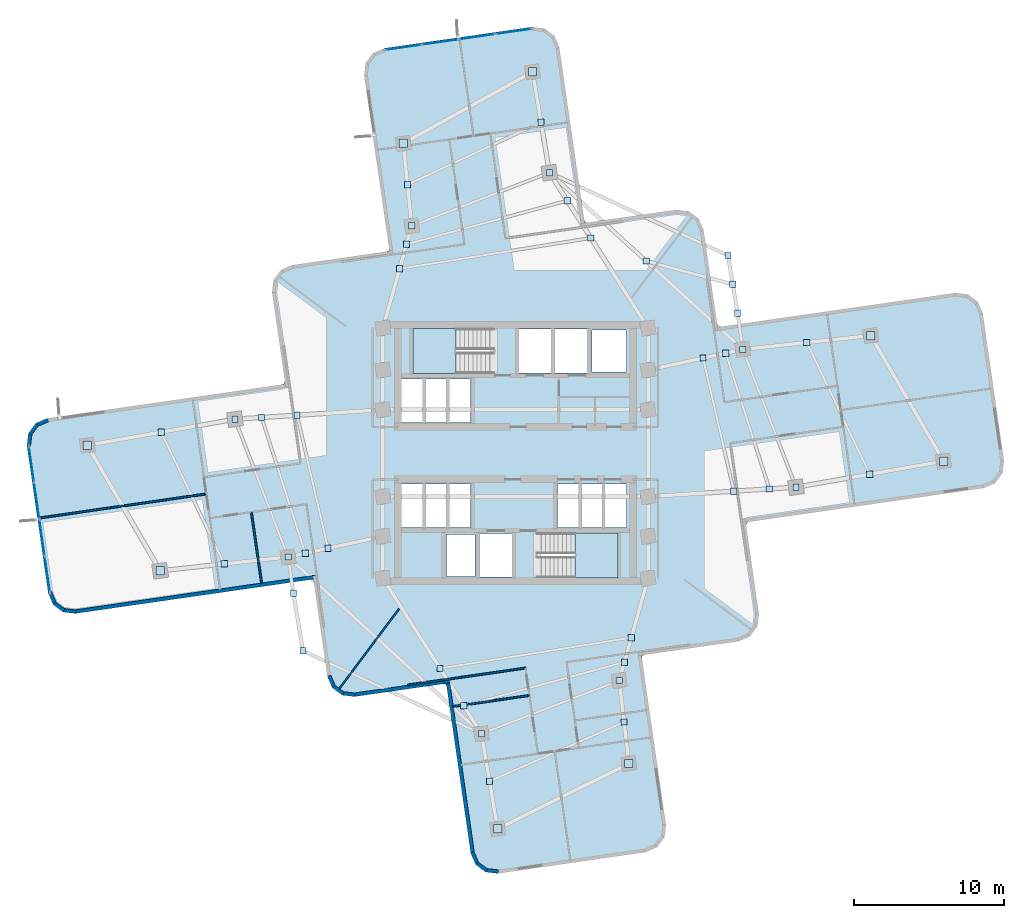
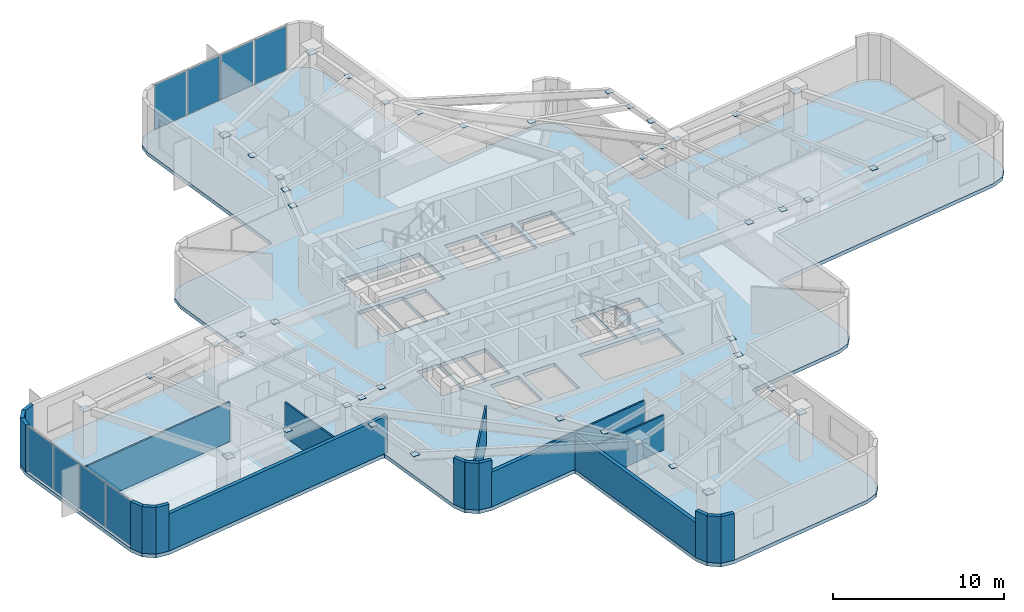
# One storey, part 5 of 13: 54 plates, 20 walls, 3 slabs, 4 elements without a shape of their own.
"""IFC4 building model written with IfcOpenShell, lengths in metres."""

from ifc_helpers import new_model, si_unit, direction, frame, frame_2d, origin, origin_2d, place, context, subcontext, project, spatial, polyline, rectangle, outline, extrude, material, layer, layer_set, type_object, element, aggregate, save


model = new_model("IFC4")

# Units and contexts
model_context = context("Model", 3, precision=1e-05, world=origin(), true_north=direction((0.0, 1.0)))
body_context = subcontext(model_context, "Body", "Model", "MODEL_VIEW")
ifc_project = project(units=[si_unit("LENGTHUNIT", "METRE"), si_unit("AREAUNIT", "SQUARE_METRE"), si_unit("VOLUMEUNIT", "CUBIC_METRE"), si_unit("PLANEANGLEUNIT", "RADIAN"), si_unit("MASSUNIT", "GRAM", prefix="KILO")], contexts=[model_context])

# Site, building, storey
site_placement = place(None, origin())
site = spatial("IfcSite", under=ifc_project, at=site_placement, CompositionType="ELEMENT")
building_placement = place(site_placement, origin())
building = spatial("IfcBuilding", under=site, at=building_placement, Name="Solmarez Civic Tower", CompositionType="ELEMENT")
storey_placement = place(building_placement, frame((0.0, 0.0, 89.280029296875)))
storey = spatial("IfcBuildingStorey", under=building, at=storey_placement, Name="L23", CompositionType="ELEMENT", Elevation=89.280029296875)

# Curtain wall, plates
ifc_material_1 = material(Name="Bronze Anodised Aluminium EN AW-6063 T6", Category="aluminium")
ifc_layer_1 = layer(ifc_material_1, 0.199951171875)
ifc_layer_set_1 = layer_set([ifc_layer_1], Name="Bronze Anodised Aluminium EN AW-6063 T6")
curtain_wall_type = type_object("IfcCurtainWallType", Name="CW-SYS-1", PredefinedType="NOTDEFINED", material=ifc_layer_set_1)
curtain_wall_1_placement = place(storey_placement, origin())
curtain_wall_1 = element("IfcCurtainWall", 1, at=curtain_wall_1_placement, inside=storey, type_object=curtain_wall_type, Name="L23 Stick-Built Curtain Wall 1", PredefinedType="NOTDEFINED")
ifc_material_2 = material(Name="Solar Control Low-E Laminated Vision Glass", Category="glass")
ifc_layer_2 = layer(ifc_material_2, 0.028076171875)
ifc_layer_set_2 = layer_set([ifc_layer_2], Name="Solar Control Low-E Laminated Vision Glass")
plate_type_1 = type_object("IfcPlateType", Name="CWP-GLAZ-28", PredefinedType="CURTAIN_PANEL", material=ifc_layer_set_2)
plate_1_placement = place(storey_placement, frame((-31.24658203125, -8.082763671875, 0.06982421875), z_axis=(0.0, 0.0, 1.0), x_axis=(-0.142697903871, 0.989766289702, 0.0)))
plate_1 = element("IfcPlate", 2, at=plate_1_placement, type_object=plate_type_1, Name="CWS1 panel 1.1", PredefinedType="CURTAIN_PANEL", context=body_context, shape_type="SweptSolid", body=[
    extrude(rectangle(XDim=2.38232421875, YDim=0.028076171875, at=origin_2d()), origin(), (0.0, 0.0, 1.0), 3.199951171875),
])
plate_2_placement = place(storey_placement, frame((-31.60009765625, -5.632080078125, 0.06982421875), z_axis=(0.0, 0.0, 1.0), x_axis=(-0.142697903871, 0.989766289702, 0.0)))
plate_2 = element("IfcPlate", 3, at=plate_2_placement, type_object=plate_type_1, Name="CWS1 panel 2.1", PredefinedType="CURTAIN_PANEL", context=body_context, shape_type="SweptSolid", body=[
    extrude(rectangle(XDim=2.419677734375, YDim=0.028076171875, at=origin_2d()), origin(), (0.0, 0.0, 1.0), 3.199951171875),
])
plate_3_placement = place(storey_placement, frame((-31.9560546875, -3.162841796875, 0.06982421875), z_axis=(0.0, 0.0, 1.0), x_axis=(-0.142697903871, 0.989766289702, 0.0)))
plate_3 = element("IfcPlate", 4, at=plate_3_placement, type_object=plate_type_1, Name="CWS1 panel 3.1", PredefinedType="CURTAIN_PANEL", context=body_context, shape_type="SweptSolid", body=[
    extrude(rectangle(XDim=2.419677734375, YDim=0.028076171875, at=origin_2d()), origin(), (0.0, 0.0, 1.0), 3.199951171875),
])
plate_4_placement = place(storey_placement, frame((-32.309326171875, -0.712158203125, 0.06982421875), z_axis=(0.0, 0.0, 1.0), x_axis=(-0.142697903871, 0.989766289702, 0.0)))
plate_4 = element("IfcPlate", 5, at=plate_4_placement, type_object=plate_type_1, Name="CWS1 panel 4.1", PredefinedType="CURTAIN_PANEL", context=body_context, shape_type="SweptSolid", body=[
    extrude(rectangle(XDim=2.38232421875, YDim=0.028076171875, at=origin_2d()), origin(), (0.0, 0.0, 1.0), 3.199951171875),
])
aggregate(curtain_wall_1, [plate_1, plate_2, plate_3, plate_4])

curtain_wall_2_placement = place(storey_placement, origin())
curtain_wall_2 = element("IfcCurtainWall", 6, at=curtain_wall_2_placement, inside=storey, type_object=curtain_wall_type, Name="L23 Stick-Built Curtain Wall 2", PredefinedType="NOTDEFINED")
plate_5_placement = place(storey_placement, frame((-7.48388671875, 27.089599609375, 0.06982421875), z_axis=(0.0, 0.0, 1.0), x_axis=(0.989766289702, 0.142697903871, 0.0)))
plate_5 = element("IfcPlate", 7, at=plate_5_placement, type_object=plate_type_1, Name="CWS1 panel 1.1", PredefinedType="CURTAIN_PANEL", context=body_context, shape_type="SweptSolid", body=[
    extrude(rectangle(XDim=2.38232421875, YDim=0.028076171875, at=origin_2d()), origin(), (0.0, 0.0, 1.0), 3.199951171875),
])
plate_6_placement = place(storey_placement, frame((-5.033203125, 27.443115234375, 0.06982421875), z_axis=(0.0, 0.0, 1.0), x_axis=(0.989766289702, 0.142697903871, 0.0)))
plate_6 = element("IfcPlate", 8, at=plate_6_placement, type_object=plate_type_1, Name="CWS1 panel 2.1", PredefinedType="CURTAIN_PANEL", context=body_context, shape_type="SweptSolid", body=[
    extrude(rectangle(XDim=2.419677734375, YDim=0.028076171875, at=origin_2d()), origin(), (0.0, 0.0, 1.0), 3.199951171875),
])
plate_7_placement = place(storey_placement, frame((-2.56396484375, 27.799072265625, 0.06982421875), z_axis=(0.0, 0.0, 1.0), x_axis=(0.989766289702, 0.142697903871, 0.0)))
plate_7 = element("IfcPlate", 9, at=plate_7_placement, type_object=plate_type_1, Name="CWS1 panel 3.1", PredefinedType="CURTAIN_PANEL", context=body_context, shape_type="SweptSolid", body=[
    extrude(rectangle(XDim=2.419677734375, YDim=0.028076171875, at=origin_2d()), origin(), (0.0, 0.0, 1.0), 3.199951171875),
])
plate_8_placement = place(storey_placement, frame((-0.11328125, 28.15234375, 0.06982421875), z_axis=(0.0, 0.0, 1.0), x_axis=(0.989766289702, 0.142697903871, 0.0)))
plate_8 = element("IfcPlate", 10, at=plate_8_placement, type_object=plate_type_1, Name="CWS1 panel 4.1", PredefinedType="CURTAIN_PANEL", context=body_context, shape_type="SweptSolid", body=[
    extrude(rectangle(XDim=2.38232421875, YDim=0.028076171875, at=origin_2d()), origin(), (0.0, 0.0, 1.0), 3.199951171875),
])
aggregate(curtain_wall_2, [plate_5, plate_6, plate_7, plate_8])

# Plates
ifc_material_3 = material(Name="Steel S355", Category="steel")
ifc_layer_3 = layer(ifc_material_3, 0.02392578125)
ifc_layer_set_3 = layer_set([ifc_layer_3], Name="Steel S355")
plate_type_2 = type_object("IfcPlateType", Name="PLT-CAP-380", PredefinedType="USERDEFINED", material=ifc_layer_set_3)
for number, where, z_axis, x_axis, name in (
    (11, (18.72412109375, -2.27099609375, 3.177978515625), (0.0, 0.0, 1.0), (1.0, 0.0, 0.0), "Steel Member End Cap Plate CAP-BM-L23-EA-T1-0"),
    (12, (15.175048828125, 6.927001953125, 3.177978515625), (0.0, 0.0, 1.0), (1.0, 0.0, 0.0), "Steel Member End Cap Plate CAP-BM-L23-EA-T1-1"),
    (13, (23.64990234375, -1.402099609375, 3.177978515625), (0.0, 0.0, 1.0), (1.0, 0.0, 0.0), "Steel Member End Cap Plate CAP-JS-L23-EA-M2-0"),
    (14, (19.445068359375, 7.388916015625, 3.177978515625), (0.0, 0.0, 1.0), (1.0, 0.0, 0.0), "Steel Member End Cap Plate CAP-JS-L23-EA-M2-1"),
    (15, (14.576904296875, -2.534912109375, 3.177978515625), (0.0, 0.0, 1.0), (1.0, 0.0, 0.0), "Steel Member End Cap Plate CAP-JS-L23-EA-M11-0"),
    (16, (12.51806640625, 6.34912109375, 3.177978515625), (0.0, 0.0, 1.0), (1.0, 0.0, 0.0), "Steel Member End Cap Plate CAP-JS-L23-EA-M11-1"),
    (17, (16.947021484375, -2.384033203125, 3.177978515625), (0.0, 0.0, 1.0), (1.0, 0.0, 0.0), "Steel Member End Cap Plate CAP-JS-L23-EA-M12-0"),
    (18, (14.037109375, 6.678955078125, 3.177978515625), (0.0, 0.0, 1.0), (1.0, 0.0, 0.0), "Steel Member End Cap Plate CAP-JS-L23-EA-M12-1"),
    (19, (2.27099609375, 18.72412109375, 3.177978515625), (0.0, 0.0, 1.0), (1.0, 0.0, 0.0), "Steel Member End Cap Plate CAP-BM-L23-NA-T1-0"),
    (20, (-6.927001953125, 15.175048828125, 3.177978515625), (0.0, 0.0, 1.0), (1.0, 0.0, 0.0), "Steel Member End Cap Plate CAP-BM-L23-NA-T1-1"),
    (21, (1.705078125, 22.090087890625, 3.177978515625), (0.0, 0.0, 1.0), (1.0, 0.0, 0.0), "Steel Member End Cap Plate CAP-JS-L23-NA-M2-0"),
    (22, (-7.2080078125, 17.927001953125, 3.177978515625), (0.0, 0.0, 1.0), (1.0, 0.0, 0.0), "Steel Member End Cap Plate CAP-JS-L23-NA-M2-1"),
    (23, (5.033935546875, 14.366943359375, 3.177978515625), (0.0, 0.0, 1.0), (1.0, 0.0, 0.0), "Steel Member End Cap Plate CAP-JS-L23-NA-M11-0"),
    (24, (-7.735107421875, 12.30908203125, 3.177978515625), (0.0, 0.0, 1.0), (1.0, 0.0, 0.0), "Steel Member End Cap Plate CAP-JS-L23-NA-M11-1"),
    (25, (3.455078125, 16.85693359375, 3.177978515625), (0.0, 0.0, 1.0), (1.0, 0.0, 0.0), "Steel Member End Cap Plate CAP-JS-L23-NA-M12-0"),
    (26, (-7.27294921875, 13.947021484375, 3.177978515625), (0.0, 0.0, 1.0), (1.0, 0.0, 0.0), "Steel Member End Cap Plate CAP-JS-L23-NA-M12-1"),
    (27, (-18.72412109375, 2.27099609375, 3.177978515625), (0.0, 0.0, 1.0), (1.0, 0.0, 0.0), "Steel Member End Cap Plate CAP-BM-L23-WA-T1-0"),
    (28, (-15.175048828125, -6.927001953125, 3.177978515625), (0.0, 0.0, 1.0), (1.0, 0.0, 0.0), "Steel Member End Cap Plate CAP-BM-L23-WA-T1-1"),
    (29, (-23.64990234375, 1.402099609375, 3.177978515625), (0.0, 0.0, 1.0), (1.0, 0.0, 0.0), "Steel Member End Cap Plate CAP-JS-L23-WA-M2-0"),
    (30, (-19.445068359375, -7.388916015625, 3.177978515625), (0.0, 0.0, 1.0), (1.0, 0.0, 0.0), "Steel Member End Cap Plate CAP-JS-L23-WA-M2-1"),
    (31, (-14.576904296875, 2.534912109375, 3.177978515625), (0.0, 0.0, 1.0), (1.0, 0.0, 0.0), "Steel Member End Cap Plate CAP-JS-L23-WA-M11-0"),
    (32, (-12.51806640625, -6.34912109375, 3.177978515625), (0.0, 0.0, 1.0), (1.0, 0.0, 0.0), "Steel Member End Cap Plate CAP-JS-L23-WA-M11-1"),
    (33, (-16.947021484375, 2.384033203125, 3.177978515625), (0.0, 0.0, 1.0), (1.0, 0.0, 0.0), "Steel Member End Cap Plate CAP-JS-L23-WA-M12-0"),
    (34, (-14.037109375, -6.678955078125, 3.177978515625), (0.0, 0.0, 1.0), (1.0, 0.0, 0.0), "Steel Member End Cap Plate CAP-JS-L23-WA-M12-1"),
    (35, (-2.27099609375, -18.72412109375, 3.177978515625), (0.0, 0.0, 1.0), (1.0, 0.0, 0.0), "Steel Member End Cap Plate CAP-BM-L23-SA-T1-0"),
    (36, (6.927001953125, -15.175048828125, 3.177978515625), (0.0, 0.0, 1.0), (1.0, 0.0, 0.0), "Steel Member End Cap Plate CAP-BM-L23-SA-T1-1"),
    (37, (-1.73291015625, -21.89892578125, 3.177978515625), (0.0, 0.0, 1.0), (1.0, 0.0, 0.0), "Steel Member End Cap Plate CAP-JS-L23-SA-M2-0"),
    (38, (7.25, -17.944091796875, 3.177978515625), (0.0, 0.0, 1.0), (1.0, 0.0, 0.0), "Steel Member End Cap Plate CAP-JS-L23-SA-M2-1"),
    (39, (-5.033935546875, -14.366943359375, 3.177978515625), (0.0, 0.0, 1.0), (1.0, 0.0, 0.0), "Steel Member End Cap Plate CAP-JS-L23-SA-M11-0"),
    (40, (7.735107421875, -12.30908203125, 3.177978515625), (0.0, 0.0, 1.0), (1.0, 0.0, 0.0), "Steel Member End Cap Plate CAP-JS-L23-SA-M11-1"),
    (41, (-3.455078125, -16.85693359375, 3.177978515625), (0.0, 0.0, 1.0), (1.0, 0.0, 0.0), "Steel Member End Cap Plate CAP-JS-L23-SA-M12-0"),
    (42, (7.27294921875, -13.947021484375, 3.177978515625), (0.0, 0.0, 1.0), (1.0, 0.0, 0.0), "Steel Member End Cap Plate CAP-JS-L23-SA-M12-1"),
    (43, (14.822998046875, 9.345947265625, 3.1279296875), (0.0, 0.0, 1.0), (1.0, 0.0, 0.0), "Steel Member End Cap Plate CAP-BM-L23-BALC-NEE-0"),
    (44, (14.18603515625, 13.194091796875, 3.1279296875), (0.0, 0.0, 1.0), (1.0, 0.0, 0.0), "Steel Member End Cap Plate CAP-BM-L23-BALC-NEE-1"),
    (45, (8.722900390625, 12.824951171875, 3.1279296875), (0.0, 0.0, 1.0), (1.0, 0.0, 0.0), "Steel Member End Cap Plate CAP-BM-L23-BALC-NEM-0"),
    (46, (14.5048828125, 11.27001953125, 3.1279296875), (0.0, 0.0, 1.0), (1.0, 0.0, 0.0), "Steel Member End Cap Plate CAP-BM-L23-BALC-NEM-1"),
    (47, (-14.822998046875, -9.345947265625, 3.1279296875), (0.0, 0.0, 1.0), (1.0, 0.0, 0.0), "Steel Member End Cap Plate CAP-BM-L23-BALC-SWE-0"),
    (48, (-14.18603515625, -13.194091796875, 3.1279296875), (0.0, 0.0, 1.0), (1.0, 0.0, 0.0), "Steel Member End Cap Plate CAP-BM-L23-BALC-SWE-1"),
):
    element("IfcPlate", number, at=place(storey_placement, frame(where, z_axis=z_axis, x_axis=x_axis)), inside=storey, type_object=plate_type_2, Name=name, ObjectType="CAP_PLATE", PredefinedType="USERDEFINED", context=body_context, shape_type="SweptSolid", body=[
        extrude(rectangle(XDim=0.419921875, YDim=0.419921875, at=origin_2d()), origin(), (0.0, 0.0, 1.0), 0.02392578125),
    ])
ifc_layer_4 = layer(ifc_material_3, 0.028076171875)
ifc_layer_set_4 = layer_set([ifc_layer_4], Name="Steel S355")
plate_type_3 = type_object("IfcPlateType", Name="PLT-CAP-540", PredefinedType="USERDEFINED", material=ifc_layer_set_4)
for number, where, z_axis, x_axis, name in (
    (49, (28.575927734375, -0.532958984375, 3.076171875), (0.0, 0.0, 1.0), (1.0, 0.0, 0.0), "Steel Member End Cap Plate CAP-BM-L23-EA-T2-0"),
    (50, (23.715087890625, 7.85107421875, 3.076171875), (0.0, 0.0, 1.0), (1.0, 0.0, 0.0), "Steel Member End Cap Plate CAP-BM-L23-EA-T2-1"),
    (51, (1.138916015625, 25.45703125, 3.076171875), (0.0, 0.0, 1.0), (1.0, 0.0, 0.0), "Steel Member End Cap Plate CAP-BM-L23-NA-T2-0"),
    (52, (-7.489013671875, 20.678955078125, 3.076171875), (0.0, 0.0, 1.0), (1.0, 0.0, 0.0), "Steel Member End Cap Plate CAP-BM-L23-NA-T2-1"),
    (53, (-28.575927734375, 0.532958984375, 3.076171875), (0.0, 0.0, 1.0), (1.0, 0.0, 0.0), "Steel Member End Cap Plate CAP-BM-L23-WA-T2-0"),
    (54, (-23.715087890625, -7.85107421875, 3.076171875), (0.0, 0.0, 1.0), (1.0, 0.0, 0.0), "Steel Member End Cap Plate CAP-BM-L23-WA-T2-1"),
    (55, (-1.195068359375, -25.073974609375, 3.076171875), (0.0, 0.0, 1.0), (1.0, 0.0, 0.0), "Steel Member End Cap Plate CAP-BM-L23-SA-T2-0"),
    (56, (7.573974609375, -20.714111328125, 3.076171875), (0.0, 0.0, 1.0), (1.0, 0.0, 0.0), "Steel Member End Cap Plate CAP-BM-L23-SA-T2-1"),
):
    element("IfcPlate", number, at=place(storey_placement, frame(where, z_axis=z_axis, x_axis=x_axis)), inside=storey, type_object=plate_type_3, Name=name, ObjectType="CAP_PLATE", PredefinedType="USERDEFINED", context=body_context, shape_type="SweptSolid", body=[
        extrude(rectangle(XDim=0.56005859375, YDim=0.56005859375, at=origin_2d()), origin(), (0.0, 0.0, 1.0), 0.028076171875),
    ])

# Stair, slab
ifc_material_4 = material(Name="Concrete C50/60", Category="concrete")
stair_type = type_object("IfcStairType", Name="STAIR-DOGLEG-140W-20R-1800", PredefinedType="HALF_TURN_STAIR", material=ifc_material_4)
stair_1_placement = place(storey_placement, origin())
stair_1 = element("IfcStair", 57, at=stair_1_placement, inside=storey, type_object=stair_type, Name="L23 North Core Protected Exit Stair ST-1", PredefinedType="HALF_TURN_STAIR")
ifc_layer_5 = layer(ifc_material_4, 0.199951171875)
ifc_layer_set_5 = layer_set([ifc_layer_5], Name="Concrete C50/60")
slab_type_1 = type_object("IfcSlabType", Name="SLAB-LANDING-200", PredefinedType="LANDING", material=ifc_layer_set_5)
slab_1_placement = place(storey_placement, frame((0.0, 0.0, 1.599853515625)))
slab_1 = element("IfcSlab", 58, at=slab_1_placement, type_object=slab_type_1, Name="ST-1 landing 1", PredefinedType="LANDING", context=body_context, shape_type="SweptSolid", body=[
    extrude(outline(polyline([(-3.969970703125, 8.320068359375), (-6.85009765625, 8.320068359375), (-6.85009765625, 5.320068359375), (-3.969970703125, 5.320068359375), (-3.969970703125, 8.320068359375)])), origin(), (0.0, 0.0, 1.0), 0.2001953125),
])
aggregate(stair_1, [slab_1])

stair_2_placement = place(storey_placement, origin())
stair_2 = element("IfcStair", 59, at=stair_2_placement, inside=storey, type_object=stair_type, Name="L23 South Core Protected Exit Stair ST-2", PredefinedType="HALF_TURN_STAIR")
slab_2_placement = place(storey_placement, frame((0.0, 0.0, 1.599853515625)))
slab_2 = element("IfcSlab", 60, at=slab_2_placement, type_object=slab_type_1, Name="ST-2 landing 1", PredefinedType="LANDING", context=body_context, shape_type="SweptSolid", body=[
    extrude(outline(polyline([(3.969970703125, -8.320068359375), (6.85009765625, -8.320068359375), (6.85009765625, -5.320068359375), (3.969970703125, -5.320068359375), (3.969970703125, -8.320068359375)])), origin(), (0.0, 0.0, 1.0), 0.2001953125),
])
aggregate(stair_2, [slab_2])

# Slab
ifc_layer_6 = layer(ifc_material_4, 0.260009765625)
ifc_layer_set_6 = layer_set([ifc_layer_6], Name="Concrete C50/60")
slab_type_2 = type_object("IfcSlabType", Name="SLAB-TOWER-260", PredefinedType="FLOOR", material=ifc_layer_set_6)
slab_3_placement = place(storey_placement, frame((0.0, 0.0, -0.260009765625)))
element("IfcSlab", 61, at=slab_3_placement, inside=storey, type_object=slab_type_2, Name="L23 Structural Slab", PredefinedType="FLOOR", context=body_context, shape_type="SweptSolid", body=[
    extrude(outline(polyline([(-13.4580078125, -8.617919921875), (-12.553955078125, -14.89306640625), (-12.22802734375, -15.654052734375), (-11.56494140625, -16.14990234375), (-10.741943359375, -16.248046875), (-4.823974609375, -15.39501953125), (-4.653076171875, -15.416015625), (-4.5859375, -15.573974609375), (-2.98291015625, -26.697998046875), (-2.656005859375, -27.4599609375), (-1.992919921875, -27.9560546875), (-1.1708984375, -28.053955078125), (8.68701171875, -26.633056640625), (9.448974609375, -26.306884765625), (9.945068359375, -25.64404296875), (10.04296875, -24.821044921875), (8.43994140625, -13.697021484375), (8.4599609375, -13.52587890625), (8.617919921875, -13.4580078125), (14.89306640625, -12.553955078125), (15.654052734375, -12.22802734375), (16.14990234375, -11.56494140625), (16.248046875, -10.741943359375), (15.39501953125, -4.823974609375), (15.416015625, -4.653076171875), (15.573974609375, -4.5859375), (31.2509765625, -2.325927734375), (32.012939453125, -2.0), (32.509033203125, -1.3369140625), (32.60693359375, -0.514892578125), (31.18603515625, 9.343994140625), (30.860107421875, 10.10498046875), (30.197021484375, 10.60107421875), (29.3740234375, 10.698974609375), (13.697021484375, 8.43994140625), (13.52587890625, 8.4599609375), (13.4580078125, 8.617919921875), (12.553955078125, 14.89306640625), (12.22802734375, 15.654052734375), (11.56494140625, 16.14990234375), (10.741943359375, 16.248046875), (4.823974609375, 15.39501953125), (4.653076171875, 15.416015625), (4.5859375, 15.573974609375), (2.925048828125, 27.093994140625), (2.59912109375, 27.85595703125), (1.93603515625, 28.35205078125), (1.114013671875, 28.449951171875), (-8.7451171875, 27.029052734375), (-9.506103515625, 26.702880859375), (-10.001953125, 26.0400390625), (-10.10009765625, 25.217041015625), (-8.43994140625, 13.697021484375), (-8.4599609375, 13.52587890625), (-8.617919921875, 13.4580078125), (-14.89306640625, 12.553955078125), (-15.654052734375, 12.22802734375), (-16.14990234375, 11.56494140625), (-16.248046875, 10.741943359375), (-15.39501953125, 4.823974609375), (-15.416015625, 4.653076171875), (-15.573974609375, 4.5859375), (-31.2509765625, 2.325927734375), (-32.012939453125, 2.0), (-32.509033203125, 1.3369140625), (-32.60693359375, 0.514892578125), (-31.18603515625, -9.343994140625), (-30.860107421875, -10.10498046875), (-30.197021484375, -10.60107421875), (-29.3740234375, -10.698974609375), (-13.697021484375, -8.43994140625), (-13.52587890625, -8.4599609375), (-13.4580078125, -8.617919921875)]), holes=[polyline([(-1.449951171875, 8.320068359375), (-6.85009765625, 8.320068359375), (-6.85009765625, 5.320068359375), (-1.449951171875, 5.320068359375), (-1.449951171875, 8.320068359375)]), polyline([(1.449951171875, -8.320068359375), (6.85009765625, -8.320068359375), (6.85009765625, -5.320068359375), (1.449951171875, -5.320068359375), (1.449951171875, -8.320068359375)]), polyline([(0.219970703125, 5.360107421875), (2.3798828125, 5.360107421875), (2.3798828125, 8.280029296875), (0.219970703125, 8.280029296875), (0.219970703125, 5.360107421875)]), polyline([(2.6201171875, 5.360107421875), (4.780029296875, 5.360107421875), (4.780029296875, 8.280029296875), (2.6201171875, 8.280029296875), (2.6201171875, 5.360107421875)]), polyline([(-2.3798828125, -8.280029296875), (-0.219970703125, -8.280029296875), (-0.219970703125, -5.360107421875), (-2.3798828125, -5.360107421875), (-2.3798828125, -8.280029296875)]), polyline([(2.800048828125, -4.9599609375), (4.280029296875, -4.9599609375), (4.280029296875, -2.06005859375), (2.800048828125, -2.06005859375), (2.800048828125, -4.9599609375)]), polyline([(4.360107421875, -4.9599609375), (5.840087890625, -4.9599609375), (5.840087890625, -2.06005859375), (4.360107421875, -2.06005859375), (4.360107421875, -4.9599609375)]), polyline([(5.919921875, -4.9599609375), (7.39990234375, -4.9599609375), (7.39990234375, -2.06005859375), (5.919921875, -2.06005859375), (5.919921875, -4.9599609375)]), polyline([(-7.60009765625, -4.9599609375), (-6.1201171875, -4.9599609375), (-6.1201171875, -2.06005859375), (-7.60009765625, -2.06005859375), (-7.60009765625, -4.9599609375)]), polyline([(-6.0400390625, -4.9599609375), (-4.56005859375, -4.9599609375), (-4.56005859375, -2.06005859375), (-6.0400390625, -2.06005859375), (-6.0400390625, -4.9599609375)]), polyline([(-4.47998046875, -4.9599609375), (-3.0, -4.9599609375), (-3.0, -2.06005859375), (-4.47998046875, -2.06005859375), (-4.47998046875, -4.9599609375)]), polyline([(-7.60009765625, 2.06005859375), (-6.1201171875, 2.06005859375), (-6.1201171875, 4.9599609375), (-7.60009765625, 4.9599609375), (-7.60009765625, 2.06005859375)]), polyline([(-6.0400390625, 2.06005859375), (-4.56005859375, 2.06005859375), (-4.56005859375, 4.9599609375), (-6.0400390625, 4.9599609375), (-6.0400390625, 2.06005859375)]), polyline([(-4.47998046875, 2.06005859375), (-3.0, 2.06005859375), (-3.0, 4.9599609375), (-4.47998046875, 4.9599609375), (-4.47998046875, 2.06005859375)]), polyline([(5.10009765625, 5.419921875), (7.39990234375, 5.419921875), (7.39990234375, 8.219970703125), (5.10009765625, 8.219970703125), (5.10009765625, 5.419921875)]), polyline([(-4.60009765625, -8.219970703125), (-2.699951171875, -8.219970703125), (-2.699951171875, -5.419921875), (-4.60009765625, -5.419921875), (-4.60009765625, -8.219970703125)])]), origin(), (0.0, 0.0, 1.0), 0.260009765625),
])

# Walls
ifc_material_5 = material(Name="Precast concrete C40/50", Category="concrete")
ifc_layer_7 = layer(ifc_material_5, 0.239990234375)
ifc_layer_set_7 = layer_set([ifc_layer_7], Name="Precast concrete C40/50")
wall_type_1 = type_object("IfcWallType", Name="WALL-EXT-240", PredefinedType="SOLIDWALL", material=ifc_layer_set_7)
wall_1_placement = place(storey_placement, frame((-13.2919921875, -8.260009765625, 0.0), z_axis=(0.0, 0.0, 1.0), x_axis=(-0.989770197797, -0.142670794326, 0.0)))
element("IfcWall", 62, at=wall_1_placement, inside=storey, type_object=wall_type_1, Name="L23 Exterior Precast Wall 2", PredefinedType="SOLIDWALL", context=body_context, shape_type="SweptSolid", body=[
    extrude(rectangle(XDim=16.275390625, YDim=0.239990234375, at=frame_2d((8.1376953125, 0.0))), origin(), (0.0, 0.0, 1.0), 2.64404296875),
])
wall_2_placement = place(storey_placement, frame((-29.35107421875, -10.5810546875, 0.0), z_axis=(0.0, 0.0, 1.0), x_axis=(-0.992997305963, 0.118136998224, 0.0)))
element("IfcWall", 63, at=wall_2_placement, inside=storey, type_object=wall_type_1, Name="L23 Exterior Precast Wall 3", PredefinedType="SOLIDWALL", context=body_context, shape_type="SweptSolid", body=[
    extrude(rectangle(XDim=0.830810546875, YDim=0.239990234375, at=frame_2d((0.41552734375, 0.0))), origin(), (0.0, 0.0, 1.0), 3.340087890625),
])
wall_3_placement = place(storey_placement, frame((-30.131103515625, -10.5009765625, 0.0), z_axis=(0.0, 0.0, 1.0), x_axis=(-0.800072018724, 0.599903963027, 0.0)))
element("IfcWall", 64, at=wall_3_placement, inside=storey, type_object=wall_type_1, Name="L23 Exterior Precast Wall 4", PredefinedType="SOLIDWALL", context=body_context, shape_type="SweptSolid", body=[
    extrude(rectangle(XDim=0.8134765625, YDim=0.239990234375, at=frame_2d((0.40673828125, 0.0))), origin(), (0.0, 0.0, 1.0), 3.340087890625),
])
wall_4_placement = place(storey_placement, frame((-30.751953125, -10.051025390625, 0.0), z_axis=(0.0, 0.0, 1.0), x_axis=(-0.395089773053, 0.91864251547, 0.0)))
element("IfcWall", 65, at=wall_4_placement, inside=storey, type_object=wall_type_1, Name="L23 Exterior Precast Wall 5", PredefinedType="SOLIDWALL", context=body_context, shape_type="SweptSolid", body=[
    extrude(rectangle(XDim=0.83056640625, YDim=0.239990234375, at=frame_2d((0.415283203125, 0.0))), origin(), (0.0, 0.0, 1.0), 3.340087890625),
])
wall_5_placement = place(storey_placement, frame((-32.489013671875, 0.490966796875, 0.0), z_axis=(0.0, 0.0, 1.0), x_axis=(0.119295842971, 0.992858752215, 0.0)))
element("IfcWall", 66, at=wall_5_placement, inside=storey, type_object=wall_type_1, Name="L23 Exterior Precast Wall 7", PredefinedType="SOLIDWALL", context=body_context, shape_type="SweptSolid", body=[
    extrude(rectangle(XDim=0.830810546875, YDim=0.239990234375, at=frame_2d((0.41552734375, 0.0))), origin(), (0.0, 0.0, 1.0), 3.340087890625),
])
wall_6_placement = place(storey_placement, frame((-32.407958984375, 1.27099609375, 0.0), z_axis=(0.0, 0.0, 1.0), x_axis=(0.598415049045, 0.801186263659, 0.0)))
element("IfcWall", 67, at=wall_6_placement, inside=storey, type_object=wall_type_1, Name="L23 Exterior Precast Wall 8", PredefinedType="SOLIDWALL", context=body_context, shape_type="SweptSolid", body=[
    extrude(rectangle(XDim=0.81396484375, YDim=0.239990234375, at=frame_2d((0.406982421875, 0.0))), origin(), (0.0, 0.0, 1.0), 3.340087890625),
])
wall_7_placement = place(storey_placement, frame((-31.958984375, 1.89306640625, 0.0), z_axis=(0.0, 0.0, 1.0), x_axis=(0.919175455153, 0.393848299024, 0.0)))
element("IfcWall", 68, at=wall_7_placement, inside=storey, type_object=wall_type_1, Name="L23 Exterior Precast Wall 9", PredefinedType="SOLIDWALL", context=body_context, shape_type="SweptSolid", body=[
    extrude(rectangle(XDim=0.830078125, YDim=0.239990234375, at=frame_2d((0.4150390625, 0.0))), origin(), (0.0, 0.0, 1.0), 3.340087890625),
])
wall_8_placement = place(storey_placement, frame((-1.14697265625, -27.93603515625, 0.0), z_axis=(0.0, 0.0, 1.0), x_axis=(-0.992858752215, 0.119295842971, 0.0)))
element("IfcWall", 69, at=wall_8_placement, inside=storey, type_object=wall_type_1, Name="L23 Exterior Precast Wall 61", PredefinedType="SOLIDWALL", context=body_context, shape_type="SweptSolid", body=[
    extrude(rectangle(XDim=0.830810546875, YDim=0.239990234375, at=frame_2d((0.41552734375, 0.0))), origin(), (0.0, 0.0, 1.0), 3.340087890625),
])
wall_9_placement = place(storey_placement, frame((-1.927001953125, -27.85498046875, 0.0), z_axis=(0.0, 0.0, 1.0), x_axis=(-0.801186263659, 0.598415049045, 0.0)))
element("IfcWall", 70, at=wall_9_placement, inside=storey, type_object=wall_type_1, Name="L23 Exterior Precast Wall 62", PredefinedType="SOLIDWALL", context=body_context, shape_type="SweptSolid", body=[
    extrude(rectangle(XDim=0.81396484375, YDim=0.239990234375, at=frame_2d((0.406982421875, 0.0))), origin(), (0.0, 0.0, 1.0), 3.340087890625),
])
wall_10_placement = place(storey_placement, frame((-2.549072265625, -27.406005859375, 0.0), z_axis=(0.0, 0.0, 1.0), x_axis=(-0.393848299024, 0.919175455153, 0.0)))
element("IfcWall", 71, at=wall_10_placement, inside=storey, type_object=wall_type_1, Name="L23 Exterior Precast Wall 63", PredefinedType="SOLIDWALL", context=body_context, shape_type="SweptSolid", body=[
    extrude(rectangle(XDim=0.830078125, YDim=0.239990234375, at=frame_2d((0.4150390625, 0.0))), origin(), (0.0, 0.0, 1.0), 3.340087890625),
])
wall_11_placement = place(storey_placement, frame((-2.862060546875, -26.69091796875, 0.0), z_axis=(0.0, 0.0, 1.0), x_axis=(-0.142682889326, 0.989768454283, 0.0)))
element("IfcWall", 72, at=wall_11_placement, inside=storey, type_object=wall_type_1, Name="L23 Exterior Precast Wall 64", PredefinedType="SOLIDWALL", context=body_context, shape_type="SweptSolid", body=[
    extrude(rectangle(XDim=11.67626953125, YDim=0.239990234375, at=frame_2d((5.838134765625, 0.0))), origin(), (0.0, 0.0, 1.0), 2.486083984375),
])
wall_12_placement = place(storey_placement, frame((-4.4189453125, -15.215087890625, 0.0), z_axis=(0.0, 0.0, 1.0), x_axis=(-0.989755260243, -0.14277438433, 0.0)))
element("IfcWall", 73, at=wall_12_placement, inside=storey, type_object=wall_type_1, Name="L23 Exterior Precast Wall 67", PredefinedType="SOLIDWALL", context=body_context, shape_type="SweptSolid", body=[
    extrude(rectangle(XDim=6.415771484375, YDim=0.239990234375, at=frame_2d((3.2080078125, 0.0))), origin(), (0.0, 0.0, 1.0), 2.486083984375),
])
wall_13_placement = place(storey_placement, frame((-10.718994140625, -16.1298828125, 0.0), z_axis=(0.0, 0.0, 1.0), x_axis=(-0.993031739051, 0.117847211411, 0.0)))
element("IfcWall", 74, at=wall_13_placement, inside=storey, type_object=wall_type_1, Name="L23 Exterior Precast Wall 68", PredefinedType="SOLIDWALL", context=body_context, shape_type="SweptSolid", body=[
    extrude(rectangle(XDim=0.830810546875, YDim=0.239990234375, at=frame_2d((0.41552734375, 0.0))), origin(), (0.0, 0.0, 1.0), 3.340087890625),
])
wall_14_placement = place(storey_placement, frame((-11.4990234375, -16.050048828125, 0.0), z_axis=(0.0, 0.0, 1.0), x_axis=(-0.800072018724, 0.599903963027, 0.0)))
element("IfcWall", 75, at=wall_14_placement, inside=storey, type_object=wall_type_1, Name="L23 Exterior Precast Wall 69", PredefinedType="SOLIDWALL", context=body_context, shape_type="SweptSolid", body=[
    extrude(rectangle(XDim=0.8134765625, YDim=0.239990234375, at=frame_2d((0.40673828125, 0.0))), origin(), (0.0, 0.0, 1.0), 3.340087890625),
])
wall_15_placement = place(storey_placement, frame((-12.1201171875, -15.60009765625, 0.0), z_axis=(0.0, 0.0, 1.0), x_axis=(-0.394735025731, 0.918795004047, 0.0)))
element("IfcWall", 76, at=wall_15_placement, inside=storey, type_object=wall_type_1, Name="L23 Exterior Precast Wall 70", PredefinedType="SOLIDWALL", context=body_context, shape_type="SweptSolid", body=[
    extrude(rectangle(XDim=0.83056640625, YDim=0.239990234375, at=frame_2d((0.415283203125, 0.0))), origin(), (0.0, 0.0, 1.0), 3.340087890625),
])
ifc_material_6 = material(Name="Gypsum Board Acoustic Steel-Stud Partition", Category="steel")
ifc_layer_8 = layer(ifc_material_6, 0.110107421875)
ifc_layer_set_8 = layer_set([ifc_layer_8], Name="Gypsum Board Acoustic Steel-Stud Partition")
wall_type_2 = type_object("IfcWallType", Name="WALL-INT-PART-110", PredefinedType="PARTITIONING", material=ifc_layer_set_8)
wall_16_placement = place(storey_placement, frame((-7.76611328125, -10.3798828125, 0.0), z_axis=(0.0, 0.0, 1.0), x_axis=(-0.598966195252, -0.800774310867, 0.0)))
element("IfcWall", 77, at=wall_16_placement, inside=storey, type_object=wall_type_2, Name="L23 Interior Partition PT-L23-QDIV-3", PredefinedType="PARTITIONING", context=body_context, shape_type="SweptSolid", body=[
    extrude(rectangle(XDim=6.691162109375, YDim=0.110107421875, at=frame_2d((3.345703125, 0.0))), origin(), (0.0, 0.0, 1.0), 2.64404296875),
])
wall_17_placement = place(storey_placement, frame((-17.6259765625, -3.9541015625, 0.0), z_axis=(0.0, 0.0, 1.0), x_axis=(0.142668704072, -0.989770499095, 0.0)))
element("IfcWall", 78, at=wall_17_placement, inside=storey, type_object=wall_type_2, Name="L23 Interior Partition PT-L23-W-LM", PredefinedType="PARTITIONING", context=body_context, shape_type="SweptSolid", body=[
    extrude(rectangle(XDim=4.794921875, YDim=0.110107421875, at=frame_2d((2.3974609375, 0.0))), origin(), (0.0, 0.0, 1.0), 2.486083984375),
])
wall_18_placement = place(storey_placement, frame((-20.69189453125, -2.72900390625, 0.0), z_axis=(0.0, 0.0, 1.0), x_axis=(-0.989773607841, -0.14264713534, 0.0)))
element("IfcWall", 79, at=wall_18_placement, inside=storey, type_object=wall_type_2, Name="L23 Interior Partition PT-L23-W-TM", PredefinedType="PARTITIONING", context=body_context, shape_type="SweptSolid", body=[
    extrude(rectangle(XDim=11.124755859375, YDim=0.110107421875, at=frame_2d((5.5625, 0.0))), origin(), (0.0, 0.0, 1.0), 2.83203125),
])
wall_19_placement = place(storey_placement, frame((-7.18603515625, -15.47412109375, 0.0), z_axis=(0.0, 0.0, 1.0), x_axis=(0.989754461648, 0.142779920322, 0.0)))
element("IfcWall", 80, at=wall_19_placement, inside=storey, type_object=wall_type_2, Name="L23 Interior Partition PT-L23-S-EFR", PredefinedType="PARTITIONING", context=body_context, shape_type="SweptSolid", body=[
    extrude(rectangle(XDim=7.949462890625, YDim=0.110107421875, at=frame_2d((3.974609375, 0.0))), origin(), (0.0, 0.0, 1.0), 2.486083984375),
])
wall_20_placement = place(storey_placement, frame((-4.18603515625, -16.909912109375, 0.0), z_axis=(0.0, 0.0, 1.0), x_axis=(0.989785908973, 0.142561756436, 0.0)))
element("IfcWall", 81, at=wall_20_placement, inside=storey, type_object=wall_type_2, Name="L23 Interior Partition PT-L23-S-RM", PredefinedType="PARTITIONING", context=body_context, shape_type="SweptSolid", body=[
    extrude(rectangle(XDim=5.15478515625, YDim=0.110107421875, at=frame_2d((2.577392578125, 0.0))), origin(), (0.0, 0.0, 1.0), 2.486083984375),
])

save(model, "model.ifc")
